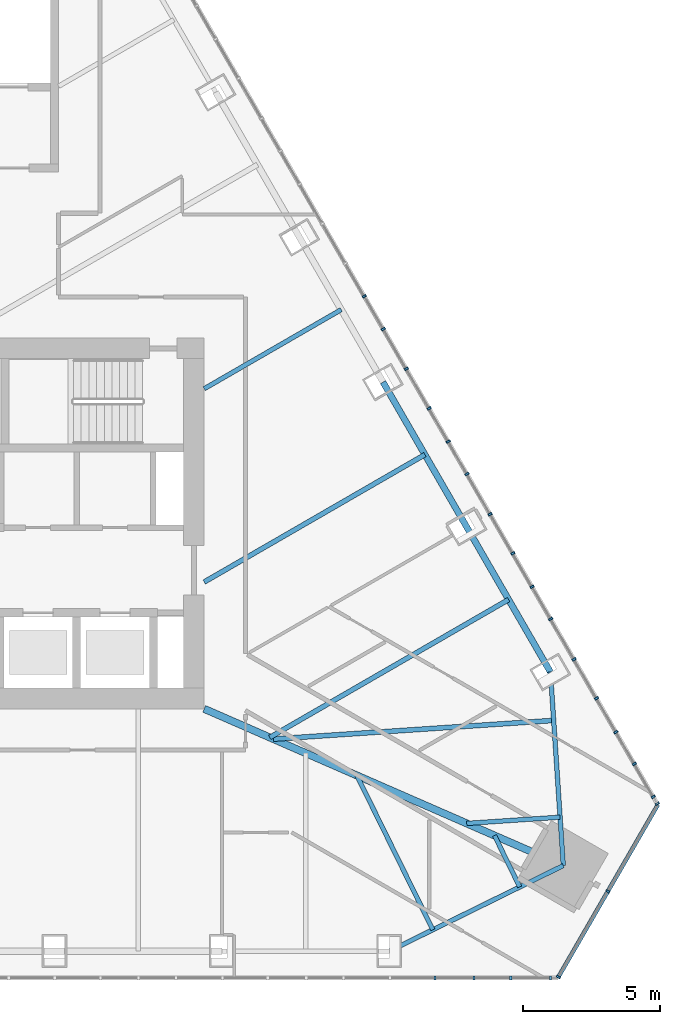
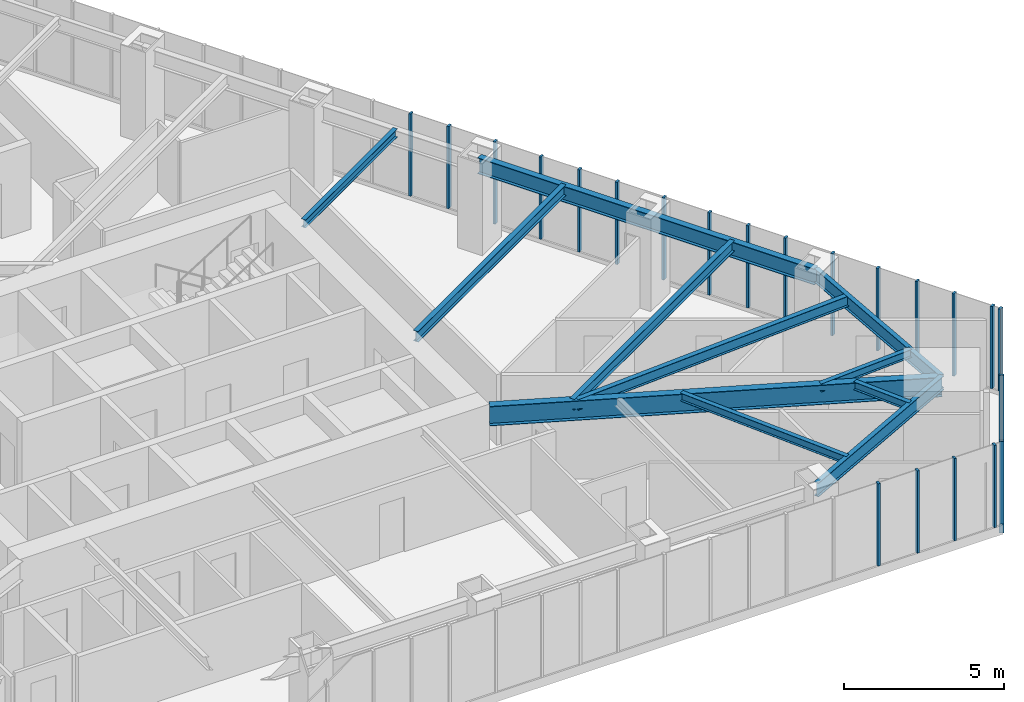
# One storey, part 7 of 20: 23 members, 11 beams, 3 elements without a shape of their own.
"""IFC4 building model written with IfcOpenShell, lengths in metres."""

from ifc_helpers import new_model, si_unit, direction, frame, origin, origin_2d, place, context, subcontext, project, spatial, rectangle, i_section, extrude, material, layer, layer_set, material_profile, profile_set, type_object, element, aggregate, save


model = new_model("IFC4")

# Units and contexts
model_context = context("Model", 3, precision=1e-05, world=origin(), true_north=direction((0.0, 1.0)))
body_context = subcontext(model_context, "Body", "Model", "MODEL_VIEW")
ifc_project = project(units=[si_unit("LENGTHUNIT", "METRE"), si_unit("AREAUNIT", "SQUARE_METRE"), si_unit("VOLUMEUNIT", "CUBIC_METRE"), si_unit("PLANEANGLEUNIT", "RADIAN"), si_unit("MASSUNIT", "GRAM", prefix="KILO")], contexts=[model_context])

# Site, building, storey
site_placement = place(None, origin())
site = spatial("IfcSite", under=ifc_project, at=site_placement, CompositionType="ELEMENT")
building_placement = place(site_placement, origin())
building = spatial("IfcBuilding", under=site, at=building_placement, Name="Firuza Gate Tower and Library", CompositionType="ELEMENT")
storey_placement = place(building_placement, frame((0.0, 0.0, 305.60009765625)))
storey = spatial("IfcBuildingStorey", under=building, at=storey_placement, Name="L74", CompositionType="ELEMENT", Elevation=305.60009765625)

# Curtain wall, members
ifc_material_1 = material(Name="Aluminium 6063-T6", Category="aluminium")
ifc_layer_1 = layer(ifc_material_1, 0.14990234375)
ifc_layer_set_1 = layer_set([ifc_layer_1], Name="Unitised curtain wall, residences")
curtain_wall_type_1 = type_object("IfcCurtainWallType", Name="Unitised curtain wall, residences", PredefinedType="NOTDEFINED", material=ifc_layer_set_1)
placement = place(storey_placement, origin())
curtain_wall_1 = element("IfcCurtainWall", 1, at=placement, inside=storey, type_object=curtain_wall_type_1, Name="CW3 L74 S face", PredefinedType="NOTDEFINED")
ifc_material_2 = material(Name="Aluminium 6063-T6", Category="aluminium")
ifc_material_profile_1 = material_profile(ifc_material_2, rectangle(XDim=0.14990234375, YDim=0.080078125, at=origin_2d()))
ifc_profile_set_1 = profile_set([ifc_material_profile_1], Name="Aluminium 6063-T6")
member_type_1 = type_object("IfcMemberType", Name="Curtain wall mullion 80x150", PredefinedType="MULLION", material=ifc_profile_set_1)
member_1_placement = place(storey_placement, frame((93.3251953125, 58.44970703125, 0.14990234375), z_axis=(0.0, 0.0, 1.0), x_axis=(0.0, 1.0, 0.0)))
member_1 = element("IfcMember", 2, at=member_1_placement, type_object=member_type_1, Name="Mullion", PredefinedType="MULLION", context=body_context, shape_type="SweptSolid", body=[
    extrude(rectangle(XDim=0.14990234375, YDim=0.080078125, at=origin_2d()), origin(), (0.0, 0.0, 1.0), 3.14990234375),
])
member_2_placement = place(storey_placement, frame((91.909423828125, 58.44970703125, 0.14990234375), z_axis=(0.0, 0.0, 1.0), x_axis=(0.0, 1.0, 0.0)))
member_2 = element("IfcMember", 3, at=member_2_placement, type_object=member_type_1, Name="Mullion", PredefinedType="MULLION", context=body_context, shape_type="SweptSolid", body=[
    extrude(rectangle(XDim=0.14990234375, YDim=0.080078125, at=origin_2d()), origin(), (0.0, 0.0, 1.0), 3.14990234375),
])
member_3_placement = place(storey_placement, frame((94.66650390625, 58.44970703125, 0.14990234375), z_axis=(0.0, 0.0, 1.0), x_axis=(0.0, 1.0, 0.0)))
member_3 = element("IfcMember", 4, at=member_3_placement, type_object=member_type_1, Name="Mullion", PredefinedType="MULLION", context=body_context, shape_type="SweptSolid", body=[
    extrude(rectangle(XDim=0.14990234375, YDim=0.080078125, at=origin_2d()), origin(), (0.0, 0.0, 1.0), 3.14990234375),
])
member_4_placement = place(storey_placement, frame((96.11328125, 58.44970703125, 0.14990234375), z_axis=(0.0, 0.0, 1.0), x_axis=(0.0, 1.0, 0.0)))
member_4 = element("IfcMember", 5, at=member_4_placement, type_object=member_type_1, Name="Mullion", PredefinedType="MULLION", context=body_context, shape_type="SweptSolid", body=[
    extrude(rectangle(XDim=0.14990234375, YDim=0.080078125, at=origin_2d()), origin(), (0.0, 0.0, 1.0), 3.14990234375),
])
aggregate(curtain_wall_1, [member_1, member_2, member_3, member_4])

ifc_material_3 = material(Name="Aluminium 6063-T6", Category="aluminium")
ifc_layer_2 = layer(ifc_material_3, 0.14990234375)
ifc_layer_set_2 = layer_set([ifc_layer_2], Name="Corner curtain wall, chamfers")
curtain_wall_type_2 = type_object("IfcCurtainWallType", Name="Corner curtain wall, chamfers", PredefinedType="NOTDEFINED", material=ifc_layer_set_2)
curtain_wall_2 = element("IfcCurtainWall", 6, at=placement, inside=storey, type_object=curtain_wall_type_2, Name="CW4 L74 SE corner", PredefinedType="NOTDEFINED")
member_5_placement = place(storey_placement, frame((96.3994140625, 58.484375, 0.14990234375), z_axis=(0.0, 0.0, 1.0), x_axis=(-0.866025403784, 0.5, 0.0)))
member_5 = element("IfcMember", 7, at=member_5_placement, type_object=member_type_1, Name="Mullion", PredefinedType="MULLION", context=body_context, shape_type="SweptSolid", body=[
    extrude(rectangle(XDim=0.14990234375, YDim=0.080078125, at=origin_2d()), origin(), (0.0, 0.0, 1.0), 3.14990234375),
])
member_6_placement = place(storey_placement, frame((98.200927734375, 61.60498046875, 0.14990234375), z_axis=(0.0, 0.0, 1.0), x_axis=(-0.866025403784, 0.5, 0.0)))
member_6 = element("IfcMember", 8, at=member_6_placement, type_object=member_type_1, Name="Mullion", PredefinedType="MULLION", context=body_context, shape_type="SweptSolid", body=[
    extrude(rectangle(XDim=0.14990234375, YDim=0.080078125, at=origin_2d()), origin(), (0.0, 0.0, 1.0), 3.14990234375),
])

curtain_wall_3 = element("IfcCurtainWall", 9, at=placement, inside=storey, type_object=curtain_wall_type_1, Name="CW3 L74 E face", PredefinedType="NOTDEFINED")
member_7_placement = place(storey_placement, frame((100.002685546875, 64.794677734375, 0.14990234375), z_axis=(0.0, 0.0, 1.0), x_axis=(-0.866025403784, -0.5, 0.0)))
member_7 = element("IfcMember", 10, at=member_7_placement, type_object=member_type_1, Name="Mullion", PredefinedType="MULLION", context=body_context, shape_type="SweptSolid", body=[
    extrude(rectangle(XDim=0.14990234375, YDim=0.080078125, at=origin_2d()), origin(), (0.0, 0.0, 1.0), 3.14990234375),
])
member_8_placement = place(storey_placement, frame((98.49560546875, 67.405029296875, 0.14990234375), z_axis=(0.0, 0.0, 1.0), x_axis=(-0.866025403784, -0.5, 0.0)))
member_8 = element("IfcMember", 11, at=member_8_placement, type_object=member_type_1, Name="Mullion", PredefinedType="MULLION", context=body_context, shape_type="SweptSolid", body=[
    extrude(rectangle(XDim=0.14990234375, YDim=0.080078125, at=origin_2d()), origin(), (0.0, 0.0, 1.0), 3.14990234375),
])
member_9_placement = place(storey_placement, frame((96.968505859375, 70.050048828125, 0.14990234375), z_axis=(0.0, 0.0, 1.0), x_axis=(-0.866025403784, -0.5, 0.0)))
member_9 = element("IfcMember", 12, at=member_9_placement, type_object=member_type_1, Name="Mullion", PredefinedType="MULLION", context=body_context, shape_type="SweptSolid", body=[
    extrude(rectangle(XDim=0.14990234375, YDim=0.080078125, at=origin_2d()), origin(), (0.0, 0.0, 1.0), 3.14990234375),
])
member_10_placement = place(storey_placement, frame((95.44140625, 72.695068359375, 0.14990234375), z_axis=(0.0, 0.0, 1.0), x_axis=(-0.866025403784, -0.5, 0.0)))
member_10 = element("IfcMember", 13, at=member_10_placement, type_object=member_type_1, Name="Mullion", PredefinedType="MULLION", context=body_context, shape_type="SweptSolid", body=[
    extrude(rectangle(XDim=0.14990234375, YDim=0.080078125, at=origin_2d()), origin(), (0.0, 0.0, 1.0), 3.14990234375),
])
member_11_placement = place(storey_placement, frame((93.914306640625, 75.340087890625, 0.14990234375), z_axis=(0.0, 0.0, 1.0), x_axis=(-0.866025403784, -0.5, 0.0)))
member_11 = element("IfcMember", 14, at=member_11_placement, type_object=member_type_1, Name="Mullion", PredefinedType="MULLION", context=body_context, shape_type="SweptSolid", body=[
    extrude(rectangle(XDim=0.14990234375, YDim=0.080078125, at=origin_2d()), origin(), (0.0, 0.0, 1.0), 3.14990234375),
])
member_12_placement = place(storey_placement, frame((92.38720703125, 77.985107421875, 0.14990234375), z_axis=(0.0, 0.0, 1.0), x_axis=(-0.866025403784, -0.5, 0.0)))
member_12 = element("IfcMember", 15, at=member_12_placement, type_object=member_type_1, Name="Mullion", PredefinedType="MULLION", context=body_context, shape_type="SweptSolid", body=[
    extrude(rectangle(XDim=0.14990234375, YDim=0.080078125, at=origin_2d()), origin(), (0.0, 0.0, 1.0), 3.14990234375),
])
member_13_placement = place(storey_placement, frame((90.860107421875, 80.630126953125, 0.14990234375), z_axis=(0.0, 0.0, 1.0), x_axis=(-0.866025403784, -0.5, 0.0)))
member_13 = element("IfcMember", 16, at=member_13_placement, type_object=member_type_1, Name="Mullion", PredefinedType="MULLION", context=body_context, shape_type="SweptSolid", body=[
    extrude(rectangle(XDim=0.14990234375, YDim=0.080078125, at=origin_2d()), origin(), (0.0, 0.0, 1.0), 3.14990234375),
])
member_14_placement = place(storey_placement, frame((89.3330078125, 83.275146484375, 0.14990234375), z_axis=(0.0, 0.0, 1.0), x_axis=(-0.866025403784, -0.5, 0.0)))
member_14 = element("IfcMember", 17, at=member_14_placement, type_object=member_type_1, Name="Mullion", PredefinedType="MULLION", context=body_context, shape_type="SweptSolid", body=[
    extrude(rectangle(XDim=0.14990234375, YDim=0.080078125, at=origin_2d()), origin(), (0.0, 0.0, 1.0), 3.14990234375),
])
member_15_placement = place(storey_placement, frame((99.85693359375, 65.046875, 0.14990234375), z_axis=(0.0, 0.0, 1.0), x_axis=(-0.866025403784, -0.5, 0.0)))
member_15 = element("IfcMember", 18, at=member_15_placement, type_object=member_type_1, Name="Mullion", PredefinedType="MULLION", context=body_context, shape_type="SweptSolid", body=[
    extrude(rectangle(XDim=0.14990234375, YDim=0.080078125, at=origin_2d()), origin(), (0.0, 0.0, 1.0), 3.14990234375),
])
member_16_placement = place(storey_placement, frame((99.166259765625, 66.243408203125, 0.14990234375), z_axis=(0.0, 0.0, 1.0), x_axis=(-0.866025403784, -0.5, 0.0)))
member_16 = element("IfcMember", 19, at=member_16_placement, type_object=member_type_1, Name="Mullion", PredefinedType="MULLION", context=body_context, shape_type="SweptSolid", body=[
    extrude(rectangle(XDim=0.14990234375, YDim=0.080078125, at=origin_2d()), origin(), (0.0, 0.0, 1.0), 3.14990234375),
])
member_17_placement = place(storey_placement, frame((97.78759765625, 68.631103515625, 0.14990234375), z_axis=(0.0, 0.0, 1.0), x_axis=(-0.866025403784, -0.5, 0.0)))
member_17 = element("IfcMember", 20, at=member_17_placement, type_object=member_type_1, Name="Mullion", PredefinedType="MULLION", context=body_context, shape_type="SweptSolid", body=[
    extrude(rectangle(XDim=0.14990234375, YDim=0.080078125, at=origin_2d()), origin(), (0.0, 0.0, 1.0), 3.14990234375),
])
member_18_placement = place(storey_placement, frame((96.1181640625, 71.522705078125, 0.14990234375), z_axis=(0.0, 0.0, 1.0), x_axis=(-0.866025403784, -0.5, 0.0)))
member_18 = element("IfcMember", 21, at=member_18_placement, type_object=member_type_1, Name="Mullion", PredefinedType="MULLION", context=body_context, shape_type="SweptSolid", body=[
    extrude(rectangle(XDim=0.14990234375, YDim=0.080078125, at=origin_2d()), origin(), (0.0, 0.0, 1.0), 3.14990234375),
])
member_19_placement = place(storey_placement, frame((94.73974609375, 73.910400390625, 0.14990234375), z_axis=(0.0, 0.0, 1.0), x_axis=(-0.866025403784, -0.5, 0.0)))
member_19 = element("IfcMember", 22, at=member_19_placement, type_object=member_type_1, Name="Mullion", PredefinedType="MULLION", context=body_context, shape_type="SweptSolid", body=[
    extrude(rectangle(XDim=0.14990234375, YDim=0.080078125, at=origin_2d()), origin(), (0.0, 0.0, 1.0), 3.14990234375),
])
member_20_placement = place(storey_placement, frame((93.0703125, 76.802001953125, 0.14990234375), z_axis=(0.0, 0.0, 1.0), x_axis=(-0.866025403784, -0.5, 0.0)))
member_20 = element("IfcMember", 23, at=member_20_placement, type_object=member_type_1, Name="Mullion", PredefinedType="MULLION", context=body_context, shape_type="SweptSolid", body=[
    extrude(rectangle(XDim=0.14990234375, YDim=0.080078125, at=origin_2d()), origin(), (0.0, 0.0, 1.0), 3.14990234375),
])
member_21_placement = place(storey_placement, frame((91.691650390625, 79.189697265625, 0.14990234375), z_axis=(0.0, 0.0, 1.0), x_axis=(-0.866025403784, -0.5, 0.0)))
member_21 = element("IfcMember", 24, at=member_21_placement, type_object=member_type_1, Name="Mullion", PredefinedType="MULLION", context=body_context, shape_type="SweptSolid", body=[
    extrude(rectangle(XDim=0.14990234375, YDim=0.080078125, at=origin_2d()), origin(), (0.0, 0.0, 1.0), 3.14990234375),
])
member_22_placement = place(storey_placement, frame((90.022216796875, 82.081298828125, 0.14990234375), z_axis=(0.0, 0.0, 1.0), x_axis=(-0.866025403784, -0.5, 0.0)))
member_22 = element("IfcMember", 25, at=member_22_placement, type_object=member_type_1, Name="Mullion", PredefinedType="MULLION", context=body_context, shape_type="SweptSolid", body=[
    extrude(rectangle(XDim=0.14990234375, YDim=0.080078125, at=origin_2d()), origin(), (0.0, 0.0, 1.0), 3.14990234375),
])
aggregate(curtain_wall_3, [member_7, member_8, member_9, member_10, member_11, member_12, member_13, member_14, member_15, member_16, member_17, member_18, member_19, member_20, member_21, member_22])

# Member
ifc_material_4 = material(Name="Aluminium 6063-T6", Category="aluminium")
ifc_material_profile_2 = material_profile(ifc_material_4, rectangle(XDim=0.14990234375, YDim=0.35009765625, at=origin_2d()))
ifc_profile_set_2 = profile_set([ifc_material_profile_2], Name="Aluminium 6063-T6")
member_type_2 = type_object("IfcMemberType", Name="Curtain wall transom 350x150", PredefinedType="USERDEFINED", material=ifc_profile_set_2)
member_23_placement = place(storey_placement, frame((96.37939453125, 58.44970703125, -0.025146484375), z_axis=(0.500005719219, 0.866022101766, 0.0), x_axis=(-0.866022101766, 0.500005719219, 0.0)))
member_23 = element("IfcMember", 26, at=member_23_placement, type_object=member_type_2, Name="Transom", ObjectType="TRANSOM", PredefinedType="USERDEFINED", context=body_context, shape_type="SweptSolid", body=[
    extrude(rectangle(XDim=0.14990234375, YDim=0.35009765625, at=origin_2d()), origin(), (0.0, 0.0, 1.0), 7.28662109375),
])

aggregate(curtain_wall_2, [member_5, member_6, member_23])

# Beams
ifc_material_5 = material(Name="Steel S355", Category="steel")
ifc_material_profile_3 = material_profile(ifc_material_5, i_section(OverallWidth=0.1650390625, OverallDepth=0.31005859375, WebThickness=0.005859375, FlangeThickness=0.009765625, at=origin_2d()))
ifc_profile_set_3 = profile_set([ifc_material_profile_3], Name="Steel S355")
beam_type_1 = type_object("IfcBeamType", Name="W310x39 Floor beam", PredefinedType="JOIST", material=ifc_profile_set_3)
beam_1_placement = place(storey_placement, frame((91.82421875, 60.2041015625, 3.14501953125), z_axis=(-0.44141897367, 0.897301114278, 0.0), x_axis=(-0.897301114278, -0.44141897367, 0.0)))
element("IfcBeam", 27, at=beam_1_placement, inside=storey, type_object=beam_type_1, Name="Floor beam L74 s30", PredefinedType="JOIST", context=body_context, shape_type="SweptSolid", body=[
    extrude(i_section(OverallWidth=0.1650390625, OverallDepth=0.31005859375, WebThickness=0.005859375, FlangeThickness=0.009765625, at=origin_2d()), origin(), (0.0, 0.0, 1.0), 6.262451171875),
])
beam_2_placement = place(storey_placement, frame((94.992919921875, 61.762939453125, 3.14501953125), z_axis=(-0.44149718948, 0.8972626325, 0.0), x_axis=(-0.8972626325, -0.44149718948, 0.0)))
element("IfcBeam", 28, at=beam_2_placement, inside=storey, type_object=beam_type_1, Name="Floor beam L74 s31", PredefinedType="JOIST", context=body_context, shape_type="SweptSolid", body=[
    extrude(i_section(OverallWidth=0.1650390625, OverallDepth=0.31005859375, WebThickness=0.005859375, FlangeThickness=0.009765625, at=origin_2d()), origin(), (0.0, 0.0, 1.0), 2.08740234375),
])
beam_3_placement = place(storey_placement, frame((96.4599609375, 64.30419921875, 3.14501953125), z_axis=(-0.997798132609, -0.066324102419, 0.0), x_axis=(0.066324102419, -0.997798132609, 0.0)))
element("IfcBeam", 29, at=beam_3_placement, inside=storey, type_object=beam_type_1, Name="Floor beam L74 s40", PredefinedType="JOIST", context=body_context, shape_type="SweptSolid", body=[
    extrude(i_section(OverallWidth=0.1650390625, OverallDepth=0.31005859375, WebThickness=0.005859375, FlangeThickness=0.009765625, at=origin_2d()), origin(), (0.0, 0.0, 1.0), 3.40869140625),
])
beam_4_placement = place(storey_placement, frame((88.488525390625, 82.78759765625, 3.14501953125), z_axis=(-0.866025368003, -0.500000061975, 0.0), x_axis=(0.500000061975, -0.866025368003, 0.0)))
element("IfcBeam", 30, at=beam_4_placement, inside=storey, type_object=beam_type_1, Name="Floor beam L74 s52", PredefinedType="JOIST", context=body_context, shape_type="SweptSolid", body=[
    extrude(i_section(OverallWidth=0.1650390625, OverallDepth=0.31005859375, WebThickness=0.005859375, FlangeThickness=0.009765625, at=origin_2d()), origin(), (0.0, 0.0, 1.0), 5.76025390625),
])
ifc_material_6 = material(Name="Steel S355", Category="steel")
ifc_material_profile_4 = material_profile(ifc_material_6, i_section(OverallWidth=0.177978515625, OverallDepth=0.406982421875, WebThickness=0.0078125, FlangeThickness=0.0126953125, at=origin_2d()))
ifc_profile_set_4 = profile_set([ifc_material_profile_4], Name="Steel S355")
beam_type_2 = type_object("IfcBeamType", Name="W410x60 Floor beam", PredefinedType="JOIST", material=ifc_profile_set_4)
beam_5_placement = place(storey_placement, frame((96.225830078125, 67.82763671875, 3.096435546875), z_axis=(-0.997796657436, -0.066346291597, 0.0), x_axis=(0.066346291597, -0.997796657436, 0.0)))
element("IfcBeam", 31, at=beam_5_placement, inside=storey, type_object=beam_type_2, Name="Floor beam L74 s41", PredefinedType="JOIST", context=body_context, shape_type="SweptSolid", body=[
    extrude(i_section(OverallWidth=0.177978515625, OverallDepth=0.406982421875, WebThickness=0.0078125, FlangeThickness=0.0126953125, at=origin_2d()), origin(), (0.0, 0.0, 1.0), 10.22607421875),
])
beam_6_placement = place(storey_placement, frame((94.58447265625, 72.22900390625, 3.096435546875), z_axis=(-0.866029312411, -0.499993229999, 0.0), x_axis=(0.499993229999, -0.866029312411, 0.0)))
element("IfcBeam", 32, at=beam_6_placement, inside=storey, type_object=beam_type_2, Name="Floor beam L74 s50", PredefinedType="JOIST", context=body_context, shape_type="SweptSolid", body=[
    extrude(i_section(OverallWidth=0.177978515625, OverallDepth=0.406982421875, WebThickness=0.0078125, FlangeThickness=0.0126953125, at=origin_2d()), origin(), (0.0, 0.0, 1.0), 10.042236328125),
])
beam_7_placement = place(storey_placement, frame((91.53662109375, 77.50830078125, 3.096435546875), z_axis=(-0.866027866277, -0.499995734814, 0.0), x_axis=(0.499995734814, -0.866027866277, 0.0)))
element("IfcBeam", 33, at=beam_7_placement, inside=storey, type_object=beam_type_2, Name="Floor beam L74 s51", PredefinedType="JOIST", context=body_context, shape_type="SweptSolid", body=[
    extrude(i_section(OverallWidth=0.177978515625, OverallDepth=0.406982421875, WebThickness=0.0078125, FlangeThickness=0.0126953125, at=origin_2d()), origin(), (0.0, 0.0, 1.0), 9.27978515625),
])
ifc_material_7 = material(Name="Steel S355", Category="steel")
ifc_material_profile_5 = material_profile(ifc_material_7, i_section(OverallWidth=0.166015625, OverallDepth=0.534912109375, WebThickness=0.01025390625, FlangeThickness=0.0166015625, at=origin_2d()))
ifc_profile_set_5 = profile_set([ifc_material_profile_5], Name="Steel S355")
beam_type_3 = type_object("IfcBeamType", Name="W530x85 Edge beam", PredefinedType="SPANDREL", material=ifc_profile_set_5)
for number, where, z_axis, x_axis, name in (
    (34, (90.239990234375, 59.4248046875, 3.032470703125), (0.897291608696, 0.44143829576, 0.0), (-0.44143829576, 0.897291608696, 0.0), "Edge beam L74 e30"),
    (35, (96.5771484375, 62.54248046875, 3.032470703125), (-0.066337752051, 0.997797225218, 0.0), (-0.997797225218, -0.066337752051, 0.0), "Edge beam L74 e40"),
):
    element("IfcBeam", number, at=place(storey_placement, frame(where, z_axis=z_axis, x_axis=x_axis)), inside=storey, type_object=beam_type_3, Name=name, PredefinedType="SPANDREL", context=body_context, shape_type="SweptSolid", body=[
        extrude(i_section(OverallWidth=0.166015625, OverallDepth=0.534912109375, WebThickness=0.01025390625, FlangeThickness=0.0166015625, at=origin_2d()), origin(), (0.0, 0.0, 1.0), 7.0625),
    ])
ifc_material_8 = material(Name="Steel S355", Category="steel")
ifc_material_profile_6 = material_profile(ifc_material_8, i_section(OverallWidth=0.22900390625, OverallDepth=0.612060546875, WebThickness=0.011962890625, FlangeThickness=0.01953125, at=origin_2d()))
ifc_profile_set_6 = profile_set([ifc_material_profile_6], Name="Steel S355")
beam_type_4 = type_object("IfcBeamType", Name="W610x125 Edge beam", PredefinedType="SPANDREL", material=ifc_profile_set_6)
beam_8_placement = place(storey_placement, frame((96.108642578125, 69.58935546875, 2.993896484375), z_axis=(-0.499996328842, 0.866027523318, 0.0), x_axis=(-0.866027523318, -0.499996328842, 0.0)))
element("IfcBeam", 36, at=beam_8_placement, inside=storey, type_object=beam_type_4, Name="Edge beam L74 e50", PredefinedType="SPANDREL", context=body_context, shape_type="SweptSolid", body=[
    extrude(i_section(OverallWidth=0.22900390625, OverallDepth=0.612060546875, WebThickness=0.011962890625, FlangeThickness=0.01953125, at=origin_2d()), origin(), (0.0, 0.0, 1.0), 12.19189453125),
])
ifc_material_9 = material(Name="Steel S355", Category="steel")
ifc_material_profile_7 = material_profile(ifc_material_9, i_section(OverallWidth=0.264892578125, OverallDepth=0.7529296875, WebThickness=0.01318359375, FlangeThickness=0.01708984375, at=origin_2d()))
ifc_profile_set_7 = profile_set([ifc_material_profile_7], Name="Steel S355")
beam_type_5 = type_object("IfcBeamType", Name="W760x147 Girder", PredefinedType="BEAM", material=ifc_profile_set_7)
beam_9_placement = place(storey_placement, frame((96.5771484375, 62.54248046875, 2.92333984375), z_axis=(-0.916510410118, 0.400010835034, 0.0), x_axis=(-0.400010835034, -0.916510410118, 0.0)))
element("IfcBeam", 37, at=beam_9_placement, inside=storey, type_object=beam_type_5, Name="Girder L74 gSE", PredefinedType="BEAM", context=body_context, shape_type="SweptSolid", body=[
    extrude(i_section(OverallWidth=0.264892578125, OverallDepth=0.7529296875, WebThickness=0.01318359375, FlangeThickness=0.01708984375, at=origin_2d()), origin(), (0.0, 0.0, 1.0), 14.268310546875),
])

save(model, "model.ifc")
